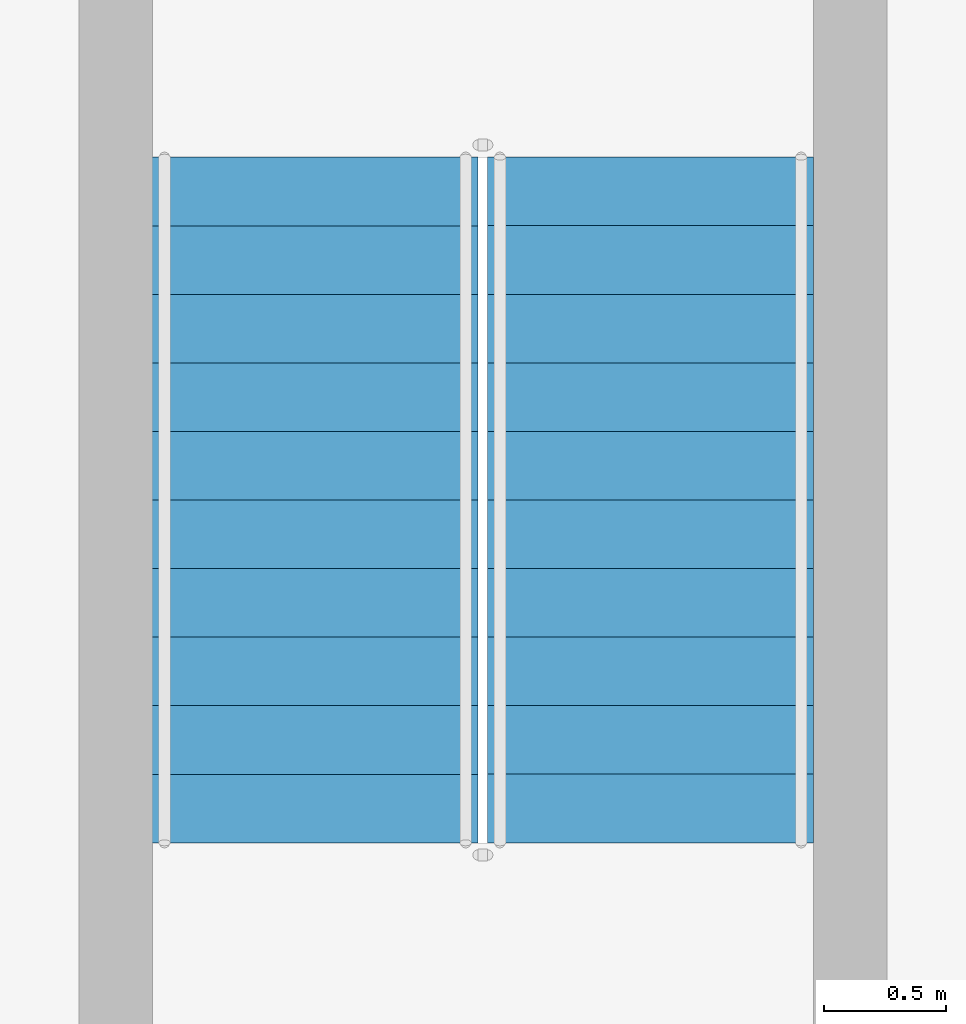
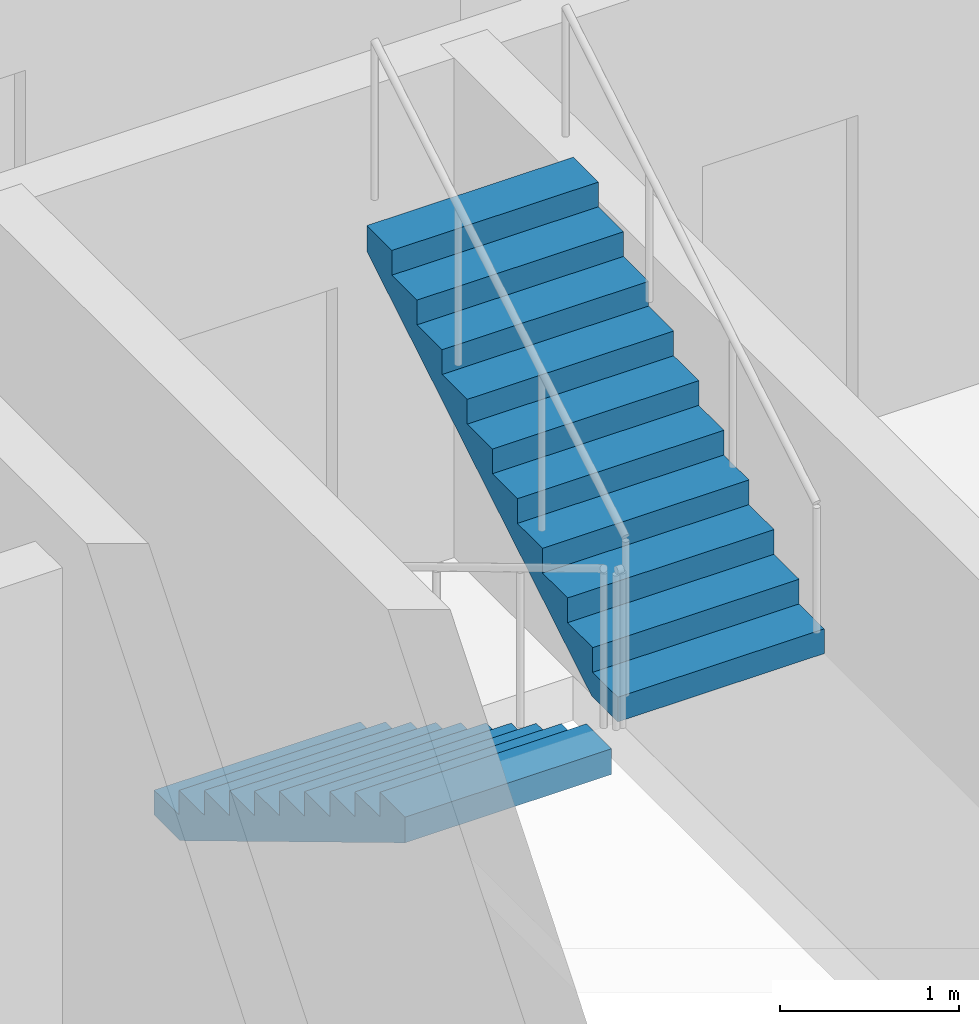
# One storey, part 15 of 19: 2 stair flights, 1 element without a shape of its own.
"""IFC4 building model written with IfcOpenShell, lengths in metres."""

from ifc_helpers import new_model, si_unit, direction, frame, origin, place, context, subcontext, project, spatial, triangles, source, transform, mapped, material, type_object, element, aggregate, save


model = new_model("IFC4")

# Units and contexts
model_context = context("Model", 3, precision=1e-05, world=origin(), true_north=direction((0.0, 1.0)))
body_context = subcontext(model_context, "Body", "Model", "MODEL_VIEW")
ifc_project = project(units=[si_unit("LENGTHUNIT", "METRE"), si_unit("AREAUNIT", "SQUARE_METRE"), si_unit("VOLUMEUNIT", "CUBIC_METRE"), si_unit("PLANEANGLEUNIT", "RADIAN"), si_unit("MASSUNIT", "GRAM", prefix="KILO")], contexts=[model_context])

# Site, building, storey
site_placement = place(None, origin())
site = spatial("IfcSite", under=ifc_project, at=site_placement, CompositionType="ELEMENT")
building_placement = place(site_placement, origin())
building = spatial("IfcBuilding", under=site, at=building_placement, Name="Ogive Portal Towers", CompositionType="ELEMENT")
storey_placement = place(building_placement, frame((0.0, 0.0, 218.0)))
storey = spatial("IfcBuildingStorey", under=building, at=storey_placement, Name="L54", CompositionType="ELEMENT", Elevation=218.0)

# Stair, stair flights
ifc_material = material(Name="Concrete C40/50", Category="concrete")
stair_type = type_object("IfcStairType", Name="INT-STAIR", PredefinedType="HALF_TURN_STAIR", material=ifc_material)
stair_placement = place(storey_placement, origin())
stair = element("IfcStair", 1, at=stair_placement, inside=storey, type_object=stair_type, Name="L54 Exit Stair ST-A4", PredefinedType="HALF_TURN_STAIR")
stair_flight_type = type_object("IfcStairFlightType", Name="INT-FLIGHT", PredefinedType="STRAIGHT", material=ifc_material)
shared_shape = source(origin(), body_context, "Body", "Tessellation", [
    triangles([(0.0, -0.6650390625, 0.0), (0.0, -0.384765625, 0.0), (0.0, -0.197021484375, 0.0), (0.0, -0.0830078125, 0.0), (0.0, -0.024658203125, 0.0), (0.0, -0.003173828125, 0.0), (0.0, 0.0, 0.0), (0.0, 0.003173828125, 0.0), (0.0, 0.024658203125, 0.0), (0.0, 0.0830078125, 0.0), (0.0, 0.197021484375, 0.0), (0.0, 0.384765625, 0.0), (0.0, 0.6650390625, 0.0), (0.0, -0.6650390625, 0.168212890625), (0.0, -0.384765625, 0.168212890625), (0.0, -0.197021484375, 0.168212890625), (0.0, -0.0830078125, 0.168212890625), (0.0, -0.024658203125, 0.168212890625), (0.0, -0.003173828125, 0.168212890625), (0.0, 0.0, 0.168212890625), (0.0, 0.003173828125, 0.168212890625), (0.0, 0.024658203125, 0.168212890625), (0.0, 0.0830078125, 0.168212890625), (0.0, 0.197021484375, 0.168212890625), (0.0, 0.384765625, 0.168212890625), (0.0, 0.6650390625, 0.168212890625), (0.280029296875, -0.6650390625, 0.168212890625), (0.280029296875, -0.384765625, 0.168212890625), (0.280029296875, -0.197021484375, 0.168212890625), (0.280029296875, -0.0830078125, 0.168212890625), (0.280029296875, -0.024658203125, 0.168212890625), (0.280029296875, -0.003173828125, 0.168212890625), (0.280029296875, 0.0, 0.168212890625), (0.280029296875, 0.003173828125, 0.168212890625), (0.280029296875, 0.024658203125, 0.168212890625), (0.280029296875, 0.0830078125, 0.168212890625), (0.280029296875, 0.197021484375, 0.168212890625), (0.280029296875, 0.384765625, 0.168212890625), (0.280029296875, 0.6650390625, 0.168212890625), (0.280029296875, -0.6650390625, 0.33642578125), (0.280029296875, -0.384765625, 0.33642578125), (0.280029296875, -0.197021484375, 0.33642578125), (0.280029296875, -0.0830078125, 0.33642578125), (0.280029296875, -0.024658203125, 0.33642578125), (0.280029296875, -0.003173828125, 0.33642578125), (0.280029296875, 0.0, 0.33642578125), (0.280029296875, 0.003173828125, 0.33642578125), (0.280029296875, 0.024658203125, 0.33642578125), (0.280029296875, 0.0830078125, 0.33642578125), (0.280029296875, 0.197021484375, 0.33642578125), (0.280029296875, 0.384765625, 0.33642578125), (0.280029296875, 0.6650390625, 0.33642578125), (0.56005859375, -0.6650390625, 0.33642578125), (0.56005859375, -0.384765625, 0.33642578125), (0.56005859375, -0.197021484375, 0.33642578125), (0.56005859375, -0.0830078125, 0.33642578125), (0.56005859375, -0.024658203125, 0.33642578125), (0.56005859375, -0.003173828125, 0.33642578125), (0.56005859375, 0.0, 0.33642578125), (0.56005859375, 0.003173828125, 0.33642578125), (0.56005859375, 0.024658203125, 0.33642578125), (0.56005859375, 0.0830078125, 0.33642578125), (0.56005859375, 0.197021484375, 0.33642578125), (0.56005859375, 0.384765625, 0.33642578125), (0.56005859375, 0.6650390625, 0.33642578125), (0.56005859375, -0.6650390625, 0.504638671875), (0.56005859375, -0.384765625, 0.504638671875), (0.56005859375, -0.197021484375, 0.504638671875), (0.56005859375, -0.0830078125, 0.504638671875), (0.56005859375, -0.024658203125, 0.504638671875), (0.56005859375, -0.003173828125, 0.504638671875), (0.56005859375, 0.0, 0.504638671875), (0.56005859375, 0.003173828125, 0.504638671875), (0.56005859375, 0.024658203125, 0.504638671875), (0.56005859375, 0.0830078125, 0.504638671875), (0.56005859375, 0.197021484375, 0.504638671875), (0.56005859375, 0.384765625, 0.504638671875), (0.56005859375, 0.6650390625, 0.504638671875), (0.840087890625, -0.6650390625, 0.504638671875), (0.840087890625, -0.384765625, 0.504638671875), (0.840087890625, -0.197021484375, 0.504638671875), (0.840087890625, -0.0830078125, 0.504638671875), (0.840087890625, -0.024658203125, 0.504638671875), (0.840087890625, -0.003173828125, 0.504638671875), (0.840087890625, 0.0, 0.504638671875), (0.840087890625, 0.003173828125, 0.504638671875), (0.840087890625, 0.024658203125, 0.504638671875), (0.840087890625, 0.0830078125, 0.504638671875), (0.840087890625, 0.197021484375, 0.504638671875), (0.840087890625, 0.384765625, 0.504638671875), (0.840087890625, 0.6650390625, 0.504638671875), (0.840087890625, -0.6650390625, 0.672607421875), (0.840087890625, -0.384765625, 0.672607421875), (0.840087890625, -0.197021484375, 0.672607421875), (0.840087890625, -0.0830078125, 0.672607421875), (0.840087890625, -0.024658203125, 0.672607421875), (0.840087890625, -0.003173828125, 0.672607421875), (0.840087890625, 0.0, 0.672607421875), (0.840087890625, 0.003173828125, 0.672607421875), (0.840087890625, 0.024658203125, 0.672607421875), (0.840087890625, 0.0830078125, 0.672607421875), (0.840087890625, 0.197021484375, 0.672607421875), (0.840087890625, 0.384765625, 0.672607421875), (0.840087890625, 0.6650390625, 0.672607421875), (1.1201171875, -0.6650390625, 0.672607421875), (1.1201171875, -0.384765625, 0.672607421875), (1.1201171875, -0.197021484375, 0.672607421875), (1.1201171875, -0.0830078125, 0.672607421875), (1.1201171875, -0.024658203125, 0.672607421875), (1.1201171875, -0.003173828125, 0.672607421875), (1.1201171875, 0.0, 0.672607421875), (1.1201171875, 0.003173828125, 0.672607421875), (1.1201171875, 0.024658203125, 0.672607421875), (1.1201171875, 0.0830078125, 0.672607421875), (1.1201171875, 0.197021484375, 0.672607421875), (1.1201171875, 0.384765625, 0.672607421875), (1.1201171875, 0.6650390625, 0.672607421875), (1.1201171875, -0.6650390625, 0.8408203125), (1.1201171875, -0.384765625, 0.8408203125), (1.1201171875, -0.197021484375, 0.8408203125), (1.1201171875, -0.0830078125, 0.8408203125), (1.1201171875, -0.024658203125, 0.8408203125), (1.1201171875, -0.003173828125, 0.8408203125), (1.1201171875, 0.0, 0.8408203125), (1.1201171875, 0.003173828125, 0.8408203125), (1.1201171875, 0.024658203125, 0.8408203125), (1.1201171875, 0.0830078125, 0.8408203125), (1.1201171875, 0.197021484375, 0.8408203125), (1.1201171875, 0.384765625, 0.8408203125), (1.1201171875, 0.6650390625, 0.8408203125), (1.39990234375, -0.6650390625, 0.8408203125), (1.39990234375, -0.384765625, 0.8408203125), (1.39990234375, -0.197021484375, 0.8408203125), (1.39990234375, -0.0830078125, 0.8408203125), (1.39990234375, -0.024658203125, 0.8408203125), (1.39990234375, -0.003173828125, 0.8408203125), (1.39990234375, 0.0, 0.8408203125), (1.39990234375, 0.003173828125, 0.8408203125), (1.39990234375, 0.024658203125, 0.8408203125), (1.39990234375, 0.0830078125, 0.8408203125), (1.39990234375, 0.197021484375, 0.8408203125), (1.39990234375, 0.384765625, 0.8408203125), (1.39990234375, 0.6650390625, 0.8408203125), (1.39990234375, -0.6650390625, 1.009033203125), (1.39990234375, -0.384765625, 1.009033203125), (1.39990234375, -0.197021484375, 1.009033203125), (1.39990234375, -0.0830078125, 1.009033203125), (1.39990234375, -0.024658203125, 1.009033203125), (1.39990234375, -0.003173828125, 1.009033203125), (1.39990234375, 0.0, 1.009033203125), (1.39990234375, 0.003173828125, 1.009033203125), (1.39990234375, 0.024658203125, 1.009033203125), (1.39990234375, 0.0830078125, 1.009033203125), (1.39990234375, 0.197021484375, 1.009033203125), (1.39990234375, 0.384765625, 1.009033203125), (1.39990234375, 0.6650390625, 1.009033203125), (1.679931640625, -0.6650390625, 1.009033203125), (1.679931640625, -0.384765625, 1.009033203125), (1.679931640625, -0.197021484375, 1.009033203125), (1.679931640625, -0.0830078125, 1.009033203125), (1.679931640625, -0.024658203125, 1.009033203125), (1.679931640625, -0.003173828125, 1.009033203125), (1.679931640625, 0.0, 1.009033203125), (1.679931640625, 0.003173828125, 1.009033203125), (1.679931640625, 0.024658203125, 1.009033203125), (1.679931640625, 0.0830078125, 1.009033203125), (1.679931640625, 0.197021484375, 1.009033203125), (1.679931640625, 0.384765625, 1.009033203125), (1.679931640625, 0.6650390625, 1.009033203125), (1.679931640625, -0.6650390625, 1.17724609375), (1.679931640625, -0.384765625, 1.17724609375), (1.679931640625, -0.197021484375, 1.17724609375), (1.679931640625, -0.0830078125, 1.17724609375), (1.679931640625, -0.024658203125, 1.17724609375), (1.679931640625, -0.003173828125, 1.17724609375), (1.679931640625, 0.0, 1.17724609375), (1.679931640625, 0.003173828125, 1.17724609375), (1.679931640625, 0.024658203125, 1.17724609375), (1.679931640625, 0.0830078125, 1.17724609375), (1.679931640625, 0.197021484375, 1.17724609375), (1.679931640625, 0.384765625, 1.17724609375), (1.679931640625, 0.6650390625, 1.17724609375), (1.9599609375, -0.6650390625, 1.17724609375), (1.9599609375, -0.384765625, 1.17724609375), (1.9599609375, -0.197021484375, 1.17724609375), (1.9599609375, -0.0830078125, 1.17724609375), (1.9599609375, -0.024658203125, 1.17724609375), (1.9599609375, -0.003173828125, 1.17724609375), (1.9599609375, 0.0, 1.17724609375), (1.9599609375, 0.003173828125, 1.17724609375), (1.9599609375, 0.024658203125, 1.17724609375), (1.9599609375, 0.0830078125, 1.17724609375), (1.9599609375, 0.197021484375, 1.17724609375), (1.9599609375, 0.384765625, 1.17724609375), (1.9599609375, 0.6650390625, 1.17724609375), (1.9599609375, -0.6650390625, 1.345458984375), (1.9599609375, -0.384765625, 1.345458984375), (1.9599609375, -0.197021484375, 1.345458984375), (1.9599609375, -0.0830078125, 1.345458984375), (1.9599609375, -0.024658203125, 1.345458984375), (1.9599609375, -0.003173828125, 1.345458984375), (1.9599609375, 0.0, 1.345458984375), (1.9599609375, 0.003173828125, 1.345458984375), (1.9599609375, 0.024658203125, 1.345458984375), (1.9599609375, 0.0830078125, 1.345458984375), (1.9599609375, 0.197021484375, 1.345458984375), (1.9599609375, 0.384765625, 1.345458984375), (1.9599609375, 0.6650390625, 1.345458984375), (2.239990234375, -0.6650390625, 1.345458984375), (2.239990234375, -0.384765625, 1.345458984375), (2.239990234375, -0.197021484375, 1.345458984375), (2.239990234375, -0.0830078125, 1.345458984375), (2.239990234375, -0.024658203125, 1.345458984375), (2.239990234375, -0.003173828125, 1.345458984375), (2.239990234375, 0.0, 1.345458984375), (2.239990234375, 0.003173828125, 1.345458984375), (2.239990234375, 0.024658203125, 1.345458984375), (2.239990234375, 0.0830078125, 1.345458984375), (2.239990234375, 0.197021484375, 1.345458984375), (2.239990234375, 0.384765625, 1.345458984375), (2.239990234375, 0.6650390625, 1.345458984375), (2.239990234375, -0.6650390625, 1.513671875), (2.239990234375, -0.384765625, 1.513671875), (2.239990234375, -0.197021484375, 1.513671875), (2.239990234375, -0.0830078125, 1.513671875), (2.239990234375, -0.024658203125, 1.513671875), (2.239990234375, -0.003173828125, 1.513671875), (2.239990234375, 0.0, 1.513671875), (2.239990234375, 0.003173828125, 1.513671875), (2.239990234375, 0.024658203125, 1.513671875), (2.239990234375, 0.0830078125, 1.513671875), (2.239990234375, 0.197021484375, 1.513671875), (2.239990234375, 0.384765625, 1.513671875), (2.239990234375, 0.6650390625, 1.513671875), (2.52001953125, -0.6650390625, 1.513671875), (2.52001953125, -0.384765625, 1.513671875), (2.52001953125, -0.197021484375, 1.513671875), (2.52001953125, -0.0830078125, 1.513671875), (2.52001953125, -0.024658203125, 1.513671875), (2.52001953125, -0.003173828125, 1.513671875), (2.52001953125, 0.0, 1.513671875), (2.52001953125, 0.003173828125, 1.513671875), (2.52001953125, 0.024658203125, 1.513671875), (2.52001953125, 0.0830078125, 1.513671875), (2.52001953125, 0.197021484375, 1.513671875), (2.52001953125, 0.384765625, 1.513671875), (2.52001953125, 0.6650390625, 1.513671875), (2.52001953125, -0.6650390625, 1.681884765625), (2.52001953125, -0.384765625, 1.681884765625), (2.52001953125, -0.197021484375, 1.681884765625), (2.52001953125, -0.0830078125, 1.681884765625), (2.52001953125, -0.024658203125, 1.681884765625), (2.52001953125, -0.003173828125, 1.681884765625), (2.52001953125, 0.0, 1.681884765625), (2.52001953125, 0.003173828125, 1.681884765625), (2.52001953125, 0.024658203125, 1.681884765625), (2.52001953125, 0.0830078125, 1.681884765625), (2.52001953125, 0.197021484375, 1.681884765625), (2.52001953125, 0.384765625, 1.681884765625), (2.52001953125, 0.6650390625, 1.681884765625), (2.800048828125, -0.6650390625, 1.681884765625), (2.800048828125, -0.384765625, 1.681884765625), (2.800048828125, -0.197021484375, 1.681884765625), (2.800048828125, -0.0830078125, 1.681884765625), (2.800048828125, -0.024658203125, 1.681884765625), (2.800048828125, -0.003173828125, 1.681884765625), (2.800048828125, 0.0, 1.681884765625), (2.800048828125, 0.003173828125, 1.681884765625), (2.800048828125, 0.024658203125, 1.681884765625), (2.800048828125, 0.0830078125, 1.681884765625), (2.800048828125, 0.197021484375, 1.681884765625), (2.800048828125, 0.384765625, 1.681884765625), (2.800048828125, 0.6650390625, 1.681884765625), (2.800048828125, -0.6650390625, 1.5068359375), (2.800048828125, -0.384765625, 1.5068359375), (2.800048828125, -0.197021484375, 1.5068359375), (2.800048828125, -0.0830078125, 1.5068359375), (2.800048828125, -0.024658203125, 1.5068359375), (2.800048828125, -0.003173828125, 1.5068359375), (2.800048828125, 0.0, 1.5068359375), (2.800048828125, 0.003173828125, 1.5068359375), (2.800048828125, 0.024658203125, 1.5068359375), (2.800048828125, 0.0830078125, 1.5068359375), (2.800048828125, 0.197021484375, 1.5068359375), (2.800048828125, 0.384765625, 1.5068359375), (2.800048828125, 0.6650390625, 1.5068359375), (0.291015625, -0.6650390625, 0.0), (0.291015625, -0.384765625, 0.0), (0.291015625, -0.197021484375, 0.0), (0.291015625, -0.0830078125, 0.0), (0.291015625, -0.024658203125, 0.0), (0.291015625, -0.003173828125, 0.0), (0.291015625, 0.0, 0.0), (0.291015625, 0.003173828125, 0.0), (0.291015625, 0.024658203125, 0.0), (0.291015625, 0.0830078125, 0.0), (0.291015625, 0.197021484375, 0.0), (0.291015625, 0.384765625, 0.0), (0.291015625, 0.6650390625, 0.0)], [[1, 14, 15], [1, 15, 2], [2, 15, 16], [2, 16, 3], [3, 16, 17], [3, 17, 4], [4, 17, 18], [4, 18, 5], [5, 18, 19], [5, 19, 6], [6, 19, 20], [6, 20, 7], [7, 20, 21], [7, 21, 8], [8, 21, 22], [8, 22, 9], [9, 22, 23], [9, 23, 10], [10, 23, 24], [10, 24, 11], [11, 24, 25], [11, 25, 12], [12, 25, 26], [12, 26, 13], [14, 27, 28], [14, 28, 15], [15, 28, 29], [15, 29, 16], [16, 29, 30], [16, 30, 17], [17, 30, 31], [17, 31, 18], [18, 31, 32], [18, 32, 19], [19, 32, 33], [19, 33, 20], [20, 33, 34], [20, 34, 21], [21, 34, 35], [21, 35, 22], [22, 35, 36], [22, 36, 23], [23, 36, 37], [23, 37, 24], [24, 37, 38], [24, 38, 25], [25, 38, 39], [25, 39, 26], [27, 40, 41], [27, 41, 28], [28, 41, 42], [28, 42, 29], [29, 42, 43], [29, 43, 30], [30, 43, 44], [30, 44, 31], [31, 44, 45], [31, 45, 32], [32, 45, 46], [32, 46, 33], [33, 46, 47], [33, 47, 34], [34, 47, 48], [34, 48, 35], [35, 48, 49], [35, 49, 36], [36, 49, 50], [36, 50, 37], [37, 50, 51], [37, 51, 38], [38, 51, 52], [38, 52, 39], [40, 53, 54], [40, 54, 41], [41, 54, 55], [41, 55, 42], [42, 55, 56], [42, 56, 43], [43, 56, 57], [43, 57, 44], [44, 57, 58], [44, 58, 45], [45, 58, 59], [45, 59, 46], [46, 59, 60], [46, 60, 47], [47, 60, 61], [47, 61, 48], [48, 61, 62], [48, 62, 49], [49, 62, 63], [49, 63, 50], [50, 63, 64], [50, 64, 51], [51, 64, 65], [51, 65, 52], [53, 66, 67], [53, 67, 54], [54, 67, 68], [54, 68, 55], [55, 68, 69], [55, 69, 56], [56, 69, 70], [56, 70, 57], [57, 70, 71], [57, 71, 58], [58, 71, 72], [58, 72, 59], [59, 72, 73], [59, 73, 60], [60, 73, 74], [60, 74, 61], [61, 74, 75], [61, 75, 62], [62, 75, 76], [62, 76, 63], [63, 76, 77], [63, 77, 64], [64, 77, 78], [64, 78, 65], [66, 79, 80], [66, 80, 67], [67, 80, 81], [67, 81, 68], [68, 81, 82], [68, 82, 69], [69, 82, 83], [69, 83, 70], [70, 83, 84], [70, 84, 71], [71, 84, 85], [71, 85, 72], [72, 85, 86], [72, 86, 73], [73, 86, 87], [73, 87, 74], [74, 87, 88], [74, 88, 75], [75, 88, 89], [75, 89, 76], [76, 89, 90], [76, 90, 77], [77, 90, 91], [77, 91, 78], [79, 92, 93], [79, 93, 80], [80, 93, 94], [80, 94, 81], [81, 94, 95], [81, 95, 82], [82, 95, 96], [82, 96, 83], [83, 96, 97], [83, 97, 84], [84, 97, 98], [84, 98, 85], [85, 98, 99], [85, 99, 86], [86, 99, 100], [86, 100, 87], [87, 100, 101], [87, 101, 88], [88, 101, 102], [88, 102, 89], [89, 102, 103], [89, 103, 90], [90, 103, 104], [90, 104, 91], [92, 105, 106], [92, 106, 93], [93, 106, 107], [93, 107, 94], [94, 107, 108], [94, 108, 95], [95, 108, 109], [95, 109, 96], [96, 109, 110], [96, 110, 97], [97, 110, 111], [97, 111, 98], [98, 111, 112], [98, 112, 99], [99, 112, 113], [99, 113, 100], [100, 113, 114], [100, 114, 101], [101, 114, 115], [101, 115, 102], [102, 115, 116], [102, 116, 103], [103, 116, 117], [103, 117, 104], [105, 118, 119], [105, 119, 106], [106, 119, 120], [106, 120, 107], [107, 120, 121], [107, 121, 108], [108, 121, 122], [108, 122, 109], [109, 122, 123], [109, 123, 110], [110, 123, 124], [110, 124, 111], [111, 124, 125], [111, 125, 112], [112, 125, 126], [112, 126, 113], [113, 126, 127], [113, 127, 114], [114, 127, 128], [114, 128, 115], [115, 128, 129], [115, 129, 116], [116, 129, 130], [116, 130, 117], [118, 131, 132], [118, 132, 119], [119, 132, 133], [119, 133, 120], [120, 133, 134], [120, 134, 121], [121, 134, 135], [121, 135, 122], [122, 135, 136], [122, 136, 123], [123, 136, 137], [123, 137, 124], [124, 137, 138], [124, 138, 125], [125, 138, 139], [125, 139, 126], [126, 139, 140], [126, 140, 127], [127, 140, 141], [127, 141, 128], [128, 141, 142], [128, 142, 129], [129, 142, 143], [129, 143, 130], [131, 144, 145], [131, 145, 132], [132, 145, 146], [132, 146, 133], [133, 146, 147], [133, 147, 134], [134, 147, 148], [134, 148, 135], [135, 148, 149], [135, 149, 136], [136, 149, 150], [136, 150, 137], [137, 150, 151], [137, 151, 138], [138, 151, 152], [138, 152, 139], [139, 152, 153], [139, 153, 140], [140, 153, 154], [140, 154, 141], [141, 154, 155], [141, 155, 142], [142, 155, 156], [142, 156, 143], [144, 157, 158], [144, 158, 145], [145, 158, 159], [145, 159, 146], [146, 159, 160], [146, 160, 147], [147, 160, 161], [147, 161, 148], [148, 161, 162], [148, 162, 149], [149, 162, 163], [149, 163, 150], [150, 163, 164], [150, 164, 151], [151, 164, 165], [151, 165, 152], [152, 165, 166], [152, 166, 153], [153, 166, 167], [153, 167, 154], [154, 167, 168], [154, 168, 155], [155, 168, 169], [155, 169, 156], [157, 170, 171], [157, 171, 158], [158, 171, 172], [158, 172, 159], [159, 172, 173], [159, 173, 160], [160, 173, 174], [160, 174, 161], [161, 174, 175], [161, 175, 162], [162, 175, 176], [162, 176, 163], [163, 176, 177], [163, 177, 164], [164, 177, 178], [164, 178, 165], [165, 178, 179], [165, 179, 166], [166, 179, 180], [166, 180, 167], [167, 180, 181], [167, 181, 168], [168, 181, 182], [168, 182, 169], [170, 183, 184], [170, 184, 171], [171, 184, 185], [171, 185, 172], [172, 185, 186], [172, 186, 173], [173, 186, 187], [173, 187, 174], [174, 187, 188], [174, 188, 175], [175, 188, 189], [175, 189, 176], [176, 189, 190], [176, 190, 177], [177, 190, 191], [177, 191, 178], [178, 191, 192], [178, 192, 179], [179, 192, 193], [179, 193, 180], [180, 193, 194], [180, 194, 181], [181, 194, 195], [181, 195, 182], [183, 196, 197], [183, 197, 184], [184, 197, 198], [184, 198, 185], [185, 198, 199], [185, 199, 186], [186, 199, 200], [186, 200, 187], [187, 200, 201], [187, 201, 188], [188, 201, 202], [188, 202, 189], [189, 202, 203], [189, 203, 190], [190, 203, 204], [190, 204, 191], [191, 204, 205], [191, 205, 192], [192, 205, 206], [192, 206, 193], [193, 206, 207], [193, 207, 194], [194, 207, 208], [194, 208, 195], [196, 209, 210], [196, 210, 197], [197, 210, 211], [197, 211, 198], [198, 211, 212], [198, 212, 199], [199, 212, 213], [199, 213, 200], [200, 213, 214], [200, 214, 201], [201, 214, 215], [201, 215, 202], [202, 215, 216], [202, 216, 203], [203, 216, 217], [203, 217, 204], [204, 217, 218], [204, 218, 205], [205, 218, 219], [205, 219, 206], [206, 219, 220], [206, 220, 207], [207, 220, 221], [207, 221, 208], [209, 222, 223], [209, 223, 210], [210, 223, 224], [210, 224, 211], [211, 224, 225], [211, 225, 212], [212, 225, 226], [212, 226, 213], [213, 226, 227], [213, 227, 214], [214, 227, 228], [214, 228, 215], [215, 228, 229], [215, 229, 216], [216, 229, 230], [216, 230, 217], [217, 230, 231], [217, 231, 218], [218, 231, 232], [218, 232, 219], [219, 232, 233], [219, 233, 220], [220, 233, 234], [220, 234, 221], [222, 235, 236], [222, 236, 223], [223, 236, 237], [223, 237, 224], [224, 237, 238], [224, 238, 225], [225, 238, 239], [225, 239, 226], [226, 239, 240], [226, 240, 227], [227, 240, 241], [227, 241, 228], [228, 241, 242], [228, 242, 229], [229, 242, 243], [229, 243, 230], [230, 243, 244], [230, 244, 231], [231, 244, 245], [231, 245, 232], [232, 245, 246], [232, 246, 233], [233, 246, 247], [233, 247, 234], [235, 248, 249], [235, 249, 236], [236, 249, 250], [236, 250, 237], [237, 250, 251], [237, 251, 238], [238, 251, 252], [238, 252, 239], [239, 252, 253], [239, 253, 240], [240, 253, 254], [240, 254, 241], [241, 254, 255], [241, 255, 242], [242, 255, 256], [242, 256, 243], [243, 256, 257], [243, 257, 244], [244, 257, 258], [244, 258, 245], [245, 258, 259], [245, 259, 246], [246, 259, 260], [246, 260, 247], [248, 261, 262], [248, 262, 249], [249, 262, 263], [249, 263, 250], [250, 263, 264], [250, 264, 251], [251, 264, 265], [251, 265, 252], [252, 265, 266], [252, 266, 253], [253, 266, 267], [253, 267, 254], [254, 267, 268], [254, 268, 255], [255, 268, 269], [255, 269, 256], [256, 269, 270], [256, 270, 257], [257, 270, 271], [257, 271, 258], [258, 271, 272], [258, 272, 259], [259, 272, 273], [259, 273, 260], [261, 274, 275], [261, 275, 262], [262, 275, 276], [262, 276, 263], [263, 276, 277], [263, 277, 264], [264, 277, 278], [264, 278, 265], [265, 278, 279], [265, 279, 266], [266, 279, 280], [266, 280, 267], [267, 280, 281], [267, 281, 268], [268, 281, 282], [268, 282, 269], [269, 282, 283], [269, 283, 270], [270, 283, 284], [270, 284, 271], [271, 284, 285], [271, 285, 272], [272, 285, 286], [272, 286, 273], [274, 287, 288], [274, 288, 275], [275, 288, 289], [275, 289, 276], [276, 289, 290], [276, 290, 277], [277, 290, 291], [277, 291, 278], [278, 291, 292], [278, 292, 279], [279, 292, 293], [279, 293, 280], [280, 293, 294], [280, 294, 281], [281, 294, 295], [281, 295, 282], [282, 295, 296], [282, 296, 283], [283, 296, 297], [283, 297, 284], [284, 297, 298], [284, 298, 285], [285, 298, 299], [285, 299, 286], [287, 1, 2], [287, 2, 288], [288, 2, 3], [288, 3, 289], [289, 3, 4], [289, 4, 290], [290, 4, 5], [290, 5, 291], [291, 5, 6], [291, 6, 292], [292, 6, 7], [292, 7, 293], [293, 7, 8], [293, 8, 294], [294, 8, 9], [294, 9, 295], [295, 9, 10], [295, 10, 296], [296, 10, 11], [296, 11, 297], [297, 11, 12], [297, 12, 298], [298, 12, 13], [298, 13, 299], [1, 287, 274], [13, 286, 299], [274, 261, 248], [286, 260, 273], [274, 248, 235], [286, 247, 260], [274, 235, 222], [286, 234, 247], [274, 222, 209], [286, 221, 234], [209, 196, 183], [221, 195, 208], [274, 209, 183], [286, 195, 221], [183, 170, 157], [195, 169, 182], [274, 183, 157], [286, 169, 195], [157, 144, 131], [169, 143, 156], [274, 157, 131], [286, 143, 169], [131, 118, 105], [143, 117, 130], [274, 131, 105], [286, 117, 143], [1, 274, 105], [13, 117, 286], [105, 92, 79], [117, 91, 104], [79, 66, 53], [91, 65, 78], [105, 79, 53], [117, 65, 91], [53, 40, 27], [65, 39, 52], [105, 53, 27], [117, 39, 65], [1, 105, 27], [13, 39, 117], [27, 14, 1], [39, 13, 26]], closed=True),
])
stair_flight_1_placement = place(storey_placement, frame((87.6650390625, 29.169921875, 0.0), z_axis=(0.0, 0.0, 1.0), x_axis=(0.0, -1.0, 0.0)))
stair_flight_1 = element("IfcStairFlight", 2, at=stair_flight_1_placement, type_object=stair_flight_type, Name="ST-A4 flight 1", NumberOfRisers=11, NumberOfTreads=10, PredefinedType="STRAIGHT", RiserHeight=0.168181818, TreadLength=0.28, context=body_context, shape_type="MappedRepresentation", body=[
    mapped(shared_shape, transform((0.0, 0.0, 0.0), scale=1.0)),
])
stair_flight_2_placement = place(storey_placement, frame((89.034912109375, 26.3701171875, 1.85009765625), z_axis=(0.0, 0.0, 1.0), x_axis=(0.0, 1.0, 0.0)))
stair_flight_2 = element("IfcStairFlight", 3, at=stair_flight_2_placement, type_object=stair_flight_type, Name="ST-A4 flight 2", NumberOfRisers=11, NumberOfTreads=10, PredefinedType="STRAIGHT", RiserHeight=0.168181818, TreadLength=0.28, context=body_context, shape_type="MappedRepresentation", body=[
    mapped(shared_shape, transform((0.0, 0.0, 0.0), scale=1.0)),
])
aggregate(stair, [stair_flight_1, stair_flight_2])

save(model, "model.ifc")
